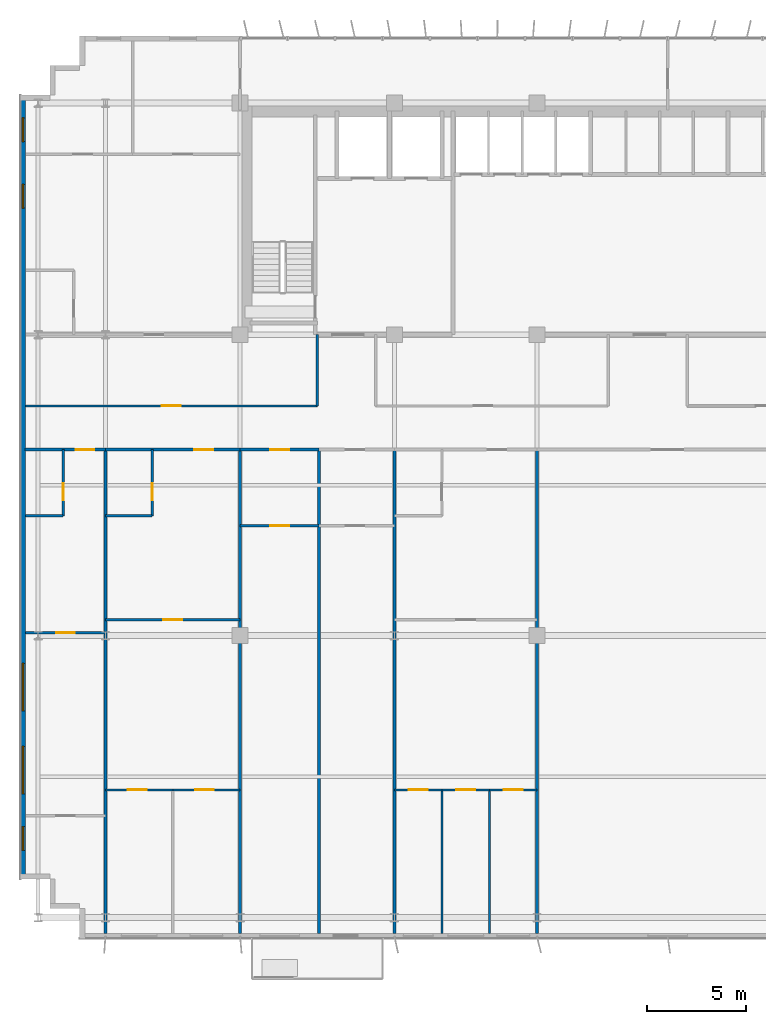
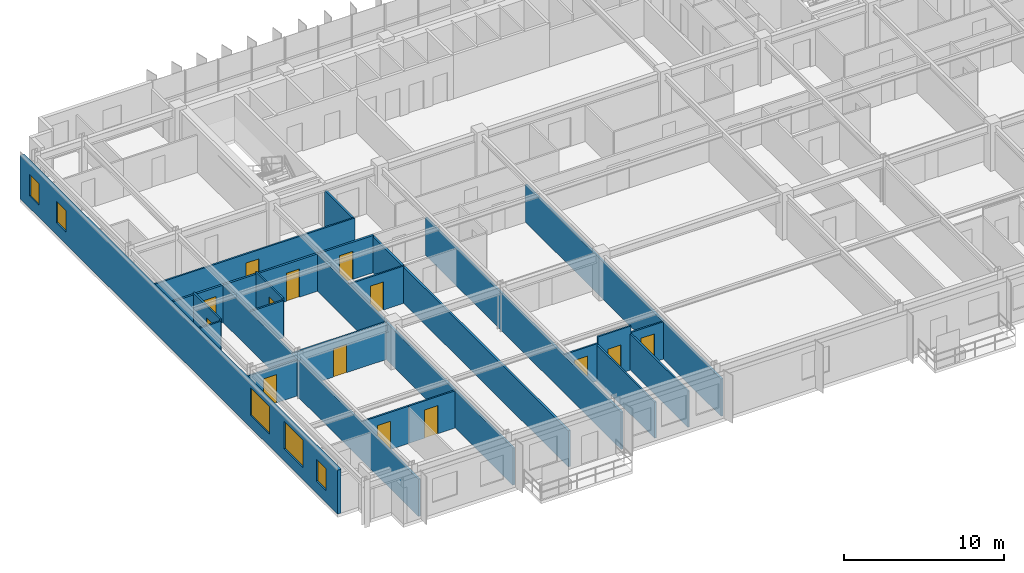
# One storey, part 14 of 22: 25 walls, 14 doors, 5 windows, 19 openings.
"""IFC4 building model written with IfcOpenShell, lengths in metres."""

import ifcopenshell
import ifcopenshell.guid

model = None  # the IFC model being written
_history = None  # IfcOwnerHistory: only IFC2X3 demands one
_inside = {}  # id of a spatial element -> (the spatial element, [elements in it])
_under = {}  # id of a project, library or spatial element -> (it, [spatial elements below it])
_declared = {}  # id of a project -> (the project, [libraries it declares])
_typed = {}  # id of a type object -> (the type object, [elements of that type])
_made_of = {}  # id of a material, layer set ... -> (it, [elements and type objects made of it])


def new_model(schema):
    """Start an empty IFC model of exactly this schema.

    Asked for "IFC4X3", IfcOpenShell would pick the latest addendum, in which some entities
    have other attributes; the version numbers below select the first issue.
    IFC2X3 requires an IfcOwnerHistory on every rooted entity: one is made here for all.
    """
    global model, _history
    if schema == "IFC4X3":
        model = ifcopenshell.file(schema_version=(4, 3, 0, 0))
    else:
        model = ifcopenshell.file(schema=schema)
    _inside.clear()
    _under.clear()
    _declared.clear()
    _typed.clear()
    _made_of.clear()
    _history = None
    if model.schema == "IFC2X3":
        org = make("IfcOrganization", Name="unknown")
        user = make(
            "IfcPersonAndOrganization",
            ThePerson=make("IfcPerson", FamilyName="unknown"),
            TheOrganization=org,
        )
        app = make(
            "IfcApplication",
            ApplicationDeveloper=org,
            Version="unknown",
            ApplicationFullName="unknown",
            ApplicationIdentifier="unknown",
        )
        _history = make(
            "IfcOwnerHistory",
            OwningUser=user,
            OwningApplication=app,
            ChangeAction="ADDED",
            CreationDate=0,
        )
    return model


def make(cls, **values):
    """One entity of the class cls with the attributes given. An attribute that is None is left unset."""
    return model.create_entity(
        cls, **{name: value for name, value in values.items() if value is not None}
    )


def rooted(cls, **values):
    """An entity with a GlobalId (a new one), such as an element, a storey or a relation."""
    return make(cls, GlobalId=ifcopenshell.guid.new(), OwnerHistory=_history, **values)


def si_unit(unit_type, name, prefix=None):
    """IfcSIUnit, for example si_unit("LENGTHUNIT", "METRE", prefix="MILLI")."""
    return make("IfcSIUnit", UnitType=unit_type, Prefix=prefix, Name=name)


def assignment(units):
    """IfcUnitAssignment: the units of a project."""
    return None if units is None else make("IfcUnitAssignment", Units=units)


def point(xyz):
    """IfcCartesianPoint."""
    return None if xyz is None else make("IfcCartesianPoint", Coordinates=xyz)


def direction(xyz):
    """IfcDirection."""
    return None if xyz is None else make("IfcDirection", DirectionRatios=xyz)


def frame(location, z_axis=None, x_axis=None):
    """IfcAxis2Placement3D, a coordinate frame: its origin and axes. An axis left out is left unset."""
    return make(
        "IfcAxis2Placement3D",
        Location=point(location),
        Axis=direction(z_axis),
        RefDirection=direction(x_axis),
    )


def frame_2d(location, x_axis=None):
    """IfcAxis2Placement2D, a coordinate frame in the plane: its origin and x axis."""
    return make(
        "IfcAxis2Placement2D", Location=point(location), RefDirection=direction(x_axis)
    )


def origin():
    """The frame at (0, 0, 0) with its axes left unset."""
    return frame((0.0, 0.0, 0.0))


def place(relative_to, where):
    """IfcLocalPlacement: puts the frame where relative to a parent placement (None: the world)."""
    return make(
        "IfcLocalPlacement", PlacementRelTo=relative_to, RelativePlacement=where
    )


def context(
    kind, dimensions, precision=None, world=None, true_north=None, identifier=None
):
    """IfcGeometricRepresentationContext, for example the 3D "Model" context."""
    return make(
        "IfcGeometricRepresentationContext",
        ContextIdentifier=identifier,
        ContextType=kind,
        CoordinateSpaceDimension=dimensions,
        Precision=precision,
        WorldCoordinateSystem=world,
        TrueNorth=true_north,
    )


def subcontext(parent, identifier, kind, view, scale=None):
    """IfcGeometricRepresentationSubContext, for example "Body" below "Model"."""
    return make(
        "IfcGeometricRepresentationSubContext",
        ContextIdentifier=identifier,
        ContextType=kind,
        ParentContext=parent,
        TargetScale=scale,
        TargetView=view,
    )


def project(units=None, contexts=None):
    """IfcProject with its units and contexts."""
    return rooted(
        "IfcProject",
        Name="project",
        RepresentationContexts=contexts,
        UnitsInContext=assignment(units),
    )


def spatial(cls, under=None, at=None, **own):
    """A site, building, storey or space (cls), placed at a placement, below another one or the project."""
    s = rooted(cls, ObjectPlacement=at, **own)
    if under is not None:
        _under.setdefault(under.id(), (under, []))[1].append(s)
    return s


def profile(cls, at=None, kind="AREA", **sizes):
    """A parametric profile (cls). Its sizes go by their IFC names, for example OverallWidth=200.0."""
    return make(cls, ProfileType=kind, Position=at, **sizes)


def rectangle(**sizes):
    """IfcRectangleProfileDef."""
    return profile("IfcRectangleProfileDef", **sizes)


def extrude(swept, where, along, depth):
    """IfcExtrudedAreaSolid: the profile swept, set in the frame where, extruded along a direction by depth."""
    return make(
        "IfcExtrudedAreaSolid",
        SweptArea=swept,
        Position=where,
        ExtrudedDirection=direction(along),
        Depth=depth,
    )


def shape(context_of_items, identifier, shape_type, items):
    """IfcShapeRepresentation: the items that make up one representation, for example the "Body"."""
    return make(
        "IfcShapeRepresentation",
        ContextOfItems=context_of_items,
        RepresentationIdentifier=identifier,
        RepresentationType=shape_type,
        Items=items,
    )


def source(mapping_origin, context_of_items, identifier, shape_type, items):
    """IfcRepresentationMap: a shape defined once, which mapped items show again and again."""
    return make(
        "IfcRepresentationMap",
        MappingOrigin=mapping_origin,
        MappedRepresentation=shape(context_of_items, identifier, shape_type, items),
    )


def transform(
    local_origin,
    x_axis=None,
    y_axis=None,
    z_axis=None,
    scale=None,
    scale2=None,
    scale3=None,
    uniform=True,
):
    """IfcCartesianTransformationOperator3D, or its non-uniform kind. x_axis, y_axis, z_axis: its Axis1, 2, 3."""
    if uniform:
        return make(
            "IfcCartesianTransformationOperator3D",
            Axis1=direction(x_axis),
            Axis2=direction(y_axis),
            LocalOrigin=point(local_origin),
            Scale=scale,
            Axis3=direction(z_axis),
        )
    return make(
        "IfcCartesianTransformationOperator3DnonUniform",
        Axis1=direction(x_axis),
        Axis2=direction(y_axis),
        LocalOrigin=point(local_origin),
        Scale=scale,
        Axis3=direction(z_axis),
        Scale2=scale2,
        Scale3=scale3,
    )


def mapped(mapping_source, mapping_target):
    """IfcMappedItem: shows the shape of a source again, moved by a transform."""
    return make(
        "IfcMappedItem", MappingSource=mapping_source, MappingTarget=mapping_target
    )


def material(Name=None, Category=None):
    """IfcMaterial."""
    return make("IfcMaterial", Name=Name, Category=Category)


def layer(
    of_material, thickness, ventilated=None, Name=None, Category=None, Priority=None
):
    """IfcMaterialLayer: one layer of a wall or slab, of a material (None: an air gap)."""
    return make(
        "IfcMaterialLayer",
        Material=of_material,
        LayerThickness=thickness,
        IsVentilated=ventilated,
        Name=Name,
        Category=Category,
        Priority=Priority,
    )


def layer_set(layers, Name=None):
    """IfcMaterialLayerSet."""
    return make("IfcMaterialLayerSet", MaterialLayers=layers, LayerSetName=Name)


def made_of(thing, what):
    """Note that an element or type object is made of a material, layer set ...; save() writes the relation."""
    if what is not None:
        _made_of.setdefault(what.id(), (what, []))[1].append(thing)
    return thing


def type_object(cls, material=None, **own):
    """A type object (cls), such as IfcWallType, which elements share."""
    return made_of(rooted(cls, **own), material)


def element(
    cls,
    number,
    at=None,
    inside=None,
    cuts=None,
    type_object=None,
    material=None,
    context=None,
    identifier="Body",
    shape_type=None,
    held_by="IfcProductDefinitionShape",
    body=None,
    shapes=None,
    **own,
):
    """One element of the class cls, such as IfcWall. Its Tag is "e" and its number.

    at: its placement. inside: the storey or other place that contains it. cuts: it is an
    opening in that element (IfcRelVoidsElement). A single representation is given by context,
    identifier, shape_type and body (its items); several are given by shapes. held_by: the class
    of the entity that holds the representations. save() writes the other relations.
    """
    e = rooted(cls, Tag="e%d" % number, ObjectPlacement=at, **own)
    if body is not None:
        shapes = [shape(context, identifier, shape_type, body)]
    if shapes is not None:
        e.Representation = make(held_by, Representations=shapes)
    if inside is not None:
        _inside.setdefault(inside.id(), (inside, []))[1].append(e)
    if cuts is not None:
        rooted(
            "IfcRelVoidsElement", RelatingBuildingElement=cuts, RelatedOpeningElement=e
        )
    if type_object is not None:
        _typed.setdefault(type_object.id(), (type_object, []))[1].append(e)
    return made_of(e, material)


def fill(opening, filler):
    """IfcRelFillsElement: the door or window that sits in an opening."""
    return rooted(
        "IfcRelFillsElement",
        RelatingOpeningElement=opening,
        RelatedBuildingElement=filler,
    )


def aggregate(whole, parts):
    """IfcRelAggregates: a whole, such as a stair, and the parts it consists of."""
    return rooted("IfcRelAggregates", RelatingObject=whole, RelatedObjects=parts)


def save(model, path):
    """Write the relations noted so far, then the file.

    IfcRelAggregates (storeys below a building ...), IfcRelContainedInSpatialStructure (elements
    in a storey), IfcRelDefinesByType, IfcRelAssociatesMaterial and IfcRelDeclares: one each for
    every whole, place, type object, material and project.
    """
    for whole, parts in _under.values():
        aggregate(whole, parts)
    for where, things in _inside.values():
        rooted(
            "IfcRelContainedInSpatialStructure",
            RelatedElements=things,
            RelatingStructure=where,
        )
    for kind, things in _typed.values():
        rooted("IfcRelDefinesByType", RelatedObjects=things, RelatingType=kind)
    for what, things in _made_of.values():
        rooted("IfcRelAssociatesMaterial", RelatedObjects=things, RelatingMaterial=what)
    for by, libraries in _declared.values():
        rooted("IfcRelDeclares", RelatingContext=by, RelatedDefinitions=libraries)
    model.write(path)


model = new_model("IFC4")

# Units and contexts
model_context = context("Model", 3, precision=1e-05, world=origin(), true_north=direction((0.0, 1.0)))
body_context = subcontext(model_context, "Body", "Model", "MODEL_VIEW")
ifc_project = project(units=[si_unit("LENGTHUNIT", "METRE"), si_unit("AREAUNIT", "SQUARE_METRE"), si_unit("VOLUMEUNIT", "CUBIC_METRE"), si_unit("PLANEANGLEUNIT", "RADIAN"), si_unit("MASSUNIT", "GRAM", prefix="KILO")], contexts=[model_context])

# Site, building, storey
site_placement = place(None, origin())
site = spatial("IfcSite", under=ifc_project, at=site_placement, CompositionType="ELEMENT")
building_placement = place(site_placement, origin())
building = spatial("IfcBuilding", under=site, at=building_placement, Name="Trelvane Seafront Commons", CompositionType="ELEMENT")
storey_placement = place(building_placement, frame((0.0, 0.0, 99.699951171875)))
storey = spatial("IfcBuildingStorey", under=building, at=storey_placement, Name="L25", CompositionType="ELEMENT", Elevation=99.699951171875)

# Wall, openings, windows
ifc_material_1 = material(Name="Precast concrete C40/50", Category="concrete")
ifc_layer_1 = layer(ifc_material_1, 0.260009765625, Name="ARCH-WALL-EXT260")
ifc_layer_set_1 = layer_set([ifc_layer_1], Name="Precast concrete C40/50")
wall_type_1 = type_object("IfcWallType", Name="ARCH-WALL-EXT260", PredefinedType="SOLIDWALL", material=ifc_layer_set_1)
wall_1_placement = place(storey_placement, frame((4.6298828125, 5.89990234375, 0.0), z_axis=(0.0, 0.0, 1.0), x_axis=(0.0, 1.0, 0.0)))
wall_1 = element("IfcWall", 1, at=wall_1_placement, inside=storey, type_object=wall_type_1, Name="EW-L25-00459", PredefinedType="SOLIDWALL", context=body_context, shape_type="SweptSolid", body=[
    extrude(rectangle(XDim=39.60009765625, YDim=0.260009765625, at=frame_2d((19.800048828125, 0.0))), origin(), (0.0, 0.0, 1.0), 3.340087890625),
])
opening_1_placement = place(wall_1_placement, frame((1.449951171875, 0.0, 0.919921875)))
opening_1 = element("IfcOpeningElement", 2, at=opening_1_placement, cuts=wall_1, Name="Opening W05", PredefinedType="OPENING", context=body_context, shape_type="SweptSolid", body=[
    extrude(rectangle(XDim=1.199951171875, YDim=1.64990234375, at=frame_2d((0.60009765625, 0.824951171875))), frame((0.0, 0.139892578125, 0.0), z_axis=(0.0, -1.0, 0.0), x_axis=(1.0, 0.0, 0.0)), (0.0, 0.0, 1.0), 0.280029296875),
])
opening_2_placement = place(wall_1_placement, frame((4.300048828125, 0.0, 0.919921875)))
opening_2 = element("IfcOpeningElement", 3, at=opening_2_placement, cuts=wall_1, Name="Opening W08", PredefinedType="OPENING", context=body_context, shape_type="SweptSolid", body=[
    extrude(rectangle(XDim=2.39990234375, YDim=2.10009765625, at=frame_2d((1.199951171875, 1.050048828125))), frame((0.0, 0.139892578125, 0.0), z_axis=(0.0, -1.0, 0.0), x_axis=(1.0, 0.0, 0.0)), (0.0, 0.0, 1.0), 0.280029296875),
])
opening_3_placement = place(wall_1_placement, frame((8.5, 0.0, 0.919921875)))
opening_3 = element("IfcOpeningElement", 4, at=opening_3_placement, cuts=wall_1, Name="Opening W08", PredefinedType="OPENING", context=body_context, shape_type="SweptSolid", body=[
    extrude(rectangle(XDim=2.39990234375, YDim=2.10009765625, at=frame_2d((1.199951171875, 1.050048828125))), frame((0.0, 0.139892578125, 0.0), z_axis=(0.0, -1.0, 0.0), x_axis=(1.0, 0.0, 0.0)), (0.0, 0.0, 1.0), 0.280029296875),
])
opening_4_placement = place(wall_1_placement, frame((33.89990234375, 0.0, 0.919921875)))
opening_4 = element("IfcOpeningElement", 5, at=opening_4_placement, cuts=wall_1, Name="Opening W05", PredefinedType="OPENING", context=body_context, shape_type="SweptSolid", body=[
    extrude(rectangle(XDim=1.199951171875, YDim=1.64990234375, at=frame_2d((0.60009765625, 0.824951171875))), frame((0.0, 0.139892578125, 0.0), z_axis=(0.0, -1.0, 0.0), x_axis=(1.0, 0.0, 0.0)), (0.0, 0.0, 1.0), 0.280029296875),
])
opening_5_placement = place(wall_1_placement, frame((37.25, 0.0, 0.919921875)))
opening_5 = element("IfcOpeningElement", 6, at=opening_5_placement, cuts=wall_1, Name="Opening W05", PredefinedType="OPENING", context=body_context, shape_type="SweptSolid", body=[
    extrude(rectangle(XDim=1.199951171875, YDim=1.64990234375, at=frame_2d((0.60009765625, 0.824951171875))), frame((0.0, 0.139892578125, 0.0), z_axis=(0.0, -1.0, 0.0), x_axis=(1.0, 0.0, 0.0)), (0.0, 0.0, 1.0), 0.280029296875),
])
ifc_material_2 = material(Name="Low-E coastal double glazing", Category="glass")
window_type_1 = type_object("IfcWindowType", Name="ARCH-WIN-W08", PartitioningType="SINGLE_PANEL", PredefinedType="WINDOW", material=ifc_material_2)
shared_shape_1 = source(origin(), body_context, "Body", "SweptSolid", [
    extrude(rectangle(XDim=2.39990234375, YDim=2.10009765625, at=frame_2d((1.199951171875, 1.050048828125))), frame((0.0, 0.030029296875, 0.0), z_axis=(0.0, -1.0, 0.0), x_axis=(1.0, 0.0, 0.0)), (0.0, 0.0, 1.0), 0.06005859375),
])
window_1_placement = place(opening_2_placement, origin())
window_1 = element("IfcWindow", 7, at=window_1_placement, inside=storey, type_object=window_type_1, Name="WIN-L25-EW-00536", OverallHeight=2.10009765625, OverallWidth=2.39990234375, PartitioningType="SINGLE_PANEL", PredefinedType="WINDOW", context=body_context, shape_type="MappedRepresentation", body=[
    mapped(shared_shape_1, transform((0.0, 0.0, 0.0), x_axis=(1.0, 0.0, 0.0), y_axis=(0.0, 1.0, 0.0), z_axis=(0.0, 0.0, 1.0), scale=1.0)),
])
fill(opening_2, window_1)
window_2_placement = place(opening_3_placement, origin())
window_2 = element("IfcWindow", 8, at=window_2_placement, inside=storey, type_object=window_type_1, Name="WIN-L25-EW-00537", OverallHeight=2.10009765625, OverallWidth=2.39990234375, PartitioningType="SINGLE_PANEL", PredefinedType="WINDOW", context=body_context, shape_type="MappedRepresentation", body=[
    mapped(shared_shape_1, transform((0.0, 0.0, 0.0), x_axis=(1.0, 0.0, 0.0), y_axis=(0.0, 1.0, 0.0), z_axis=(0.0, 0.0, 1.0), scale=1.0)),
])
fill(opening_3, window_2)
window_type_2 = type_object("IfcWindowType", Name="ARCH-WIN-W05", PartitioningType="SINGLE_PANEL", PredefinedType="WINDOW", material=ifc_material_2)
shared_shape_2 = source(origin(), body_context, "Body", "SweptSolid", [
    extrude(rectangle(XDim=1.199951171875, YDim=1.64990234375, at=frame_2d((0.60009765625, 0.824951171875))), frame((0.0, 0.030029296875, 0.0), z_axis=(0.0, -1.0, 0.0), x_axis=(1.0, 0.0, 0.0)), (0.0, 0.0, 1.0), 0.06005859375),
])
window_3_placement = place(opening_1_placement, origin())
window_3 = element("IfcWindow", 9, at=window_3_placement, inside=storey, type_object=window_type_2, Name="WIN-L25-EW-00535", OverallHeight=1.64990234375, OverallWidth=1.199951171875, PartitioningType="SINGLE_PANEL", PredefinedType="WINDOW", context=body_context, shape_type="MappedRepresentation", body=[
    mapped(shared_shape_2, transform((0.0, 0.0, 0.0), x_axis=(1.0, 0.0, 0.0), y_axis=(0.0, 1.0, 0.0), z_axis=(0.0, 0.0, 1.0), scale=1.0)),
])
fill(opening_1, window_3)
window_4_placement = place(opening_4_placement, origin())
window_4 = element("IfcWindow", 10, at=window_4_placement, inside=storey, type_object=window_type_2, Name="WIN-L25-EW-00538", OverallHeight=1.64990234375, OverallWidth=1.199951171875, PartitioningType="SINGLE_PANEL", PredefinedType="WINDOW", context=body_context, shape_type="MappedRepresentation", body=[
    mapped(shared_shape_2, transform((0.0, 0.0, 0.0), x_axis=(1.0, 0.0, 0.0), y_axis=(0.0, 1.0, 0.0), z_axis=(0.0, 0.0, 1.0), scale=1.0)),
])
fill(opening_4, window_4)
window_5_placement = place(opening_5_placement, origin())
window_5 = element("IfcWindow", 11, at=window_5_placement, inside=storey, type_object=window_type_2, Name="WIN-L25-EW-00539", OverallHeight=1.64990234375, OverallWidth=1.199951171875, PartitioningType="SINGLE_PANEL", PredefinedType="WINDOW", context=body_context, shape_type="MappedRepresentation", body=[
    mapped(shared_shape_2, transform((0.0, 0.0, 0.0), x_axis=(1.0, 0.0, 0.0), y_axis=(0.0, 1.0, 0.0), z_axis=(0.0, 0.0, 1.0), scale=1.0)),
])
fill(opening_5, window_5)

# Wall, opening, door
ifc_material_3 = material(Name="Gypsum Drywall Acoustic Partition")
ifc_layer_2 = layer(ifc_material_3, 0.1201171875, Name="ARCH-WALL-PART120")
ifc_layer_set_2 = layer_set([ifc_layer_2], Name="Gypsum Drywall Acoustic Partition")
wall_type_2 = type_object("IfcWallType", Name="ARCH-WALL-PART120", PredefinedType="PARTITIONING", material=ifc_layer_set_2)
wall_2_placement = place(storey_placement, frame((4.75, 29.800048828125, 0.0), z_axis=(0.0, 0.0, 1.0), x_axis=(1.0, 0.0, 0.0)))
wall_2 = element("IfcWall", 12, at=wall_2_placement, inside=storey, type_object=wall_type_2, Name="W-L25-CORR-N-W-039", PredefinedType="PARTITIONING", context=body_context, shape_type="SweptSolid", body=[
    extrude(rectangle(XDim=14.75, YDim=0.1201171875, at=frame_2d((7.375, 0.0))), origin(), (0.0, 0.0, 1.0), 2.840087890625),
])
opening_6_placement = place(wall_2_placement, frame((6.89990234375, 0.0, 0.0)))
opening_6 = element("IfcOpeningElement", 13, at=opening_6_placement, cuts=wall_2, Name="Opening D-L25-19", PredefinedType="OPENING", context=body_context, shape_type="SweptSolid", body=[
    extrude(rectangle(XDim=0.949951171875, YDim=2.14990234375, at=frame_2d((0.47509765625, 1.074951171875))), frame((0.0, 0.070068359375, 0.0), z_axis=(0.0, -1.0, 0.0), x_axis=(1.0, 0.0, 0.0)), (0.0, 0.0, 1.0), 0.14013671875),
])
ifc_material_4 = material(Name="Acoustic timber door leaf", Category="wood")
door_type_1 = type_object("IfcDoorType", Name="ARCH-DR-INT950", OperationType="NOTDEFINED", PredefinedType="DOOR", material=ifc_material_4)
shared_shape_3 = source(origin(), body_context, "Body", "SweptSolid", [
    extrude(rectangle(XDim=0.949951171875, YDim=2.14990234375, at=frame_2d((0.47509765625, 1.074951171875))), frame((0.0, 0.02490234375, 0.0), z_axis=(0.0, -1.0, 0.0), x_axis=(1.0, 0.0, 0.0)), (0.0, 0.0, 1.0), 0.050048828125),
])
door_1_placement = place(opening_6_placement, origin())
door_1 = element("IfcDoor", 14, at=door_1_placement, inside=storey, type_object=door_type_1, Name="L25 Door 19", OperationType="SINGLE_SWING_LEFT", OverallHeight=2.14990234375, OverallWidth=0.949951171875, PredefinedType="DOOR", context=body_context, shape_type="MappedRepresentation", body=[
    mapped(shared_shape_3, transform((0.0, 0.0, 0.0), x_axis=(1.0, 0.0, 0.0), y_axis=(0.0, 1.0, 0.0), z_axis=(0.0, 0.0, 1.0), scale=1.0)),
])
fill(opening_6, door_1)

# Wall
wall_3_placement = place(storey_placement, frame((19.5, 29.800048828125, 0.0), z_axis=(0.0, 0.0, 1.0), x_axis=(0.0, 1.0, 0.0)))
element("IfcWall", 15, at=wall_3_placement, inside=storey, type_object=wall_type_2, Name="W-L25-N-SPUR-W1-044", PredefinedType="PARTITIONING", context=body_context, shape_type="SweptSolid", body=[
    extrude(rectangle(XDim=3.599853515625, YDim=0.1201171875, at=frame_2d((1.7998046875, 0.0))), origin(), (0.0, 0.0, 1.0), 2.751953125),
])

# Wall, opening, door
wall_4_placement = place(storey_placement, frame((4.760009765625, 18.35009765625, 0.0), z_axis=(0.0, 0.0, 1.0), x_axis=(1.0, 0.0, 0.0)))
wall_4 = element("IfcWall", 16, at=wall_4_placement, inside=storey, type_object=wall_type_2, Name="W-L25-U1-KL-070", PredefinedType="PARTITIONING", context=body_context, shape_type="SweptSolid", body=[
    extrude(rectangle(XDim=4.0400390625, YDim=0.1201171875, at=frame_2d((2.02001953125, 0.0))), origin(), (0.0, 0.0, 1.0), 2.751953125),
])
opening_7_placement = place(wall_4_placement, frame((1.544921875, 0.0, 0.0)))
opening_7 = element("IfcOpeningElement", 17, at=opening_7_placement, cuts=wall_4, Name="Opening D-L25-32", PredefinedType="OPENING", context=body_context, shape_type="SweptSolid", body=[
    extrude(rectangle(XDim=0.949951171875, YDim=2.14990234375, at=frame_2d((0.47509765625, 1.074951171875))), frame((0.0, 0.070068359375, 0.0), z_axis=(0.0, -1.0, 0.0), x_axis=(1.0, 0.0, 0.0)), (0.0, 0.0, 1.0), 0.14013671875),
])
door_2_placement = place(opening_7_placement, origin())
door_2 = element("IfcDoor", 18, at=door_2_placement, inside=storey, type_object=door_type_1, Name="L25 Door 32", OperationType="SINGLE_SWING_RIGHT", OverallHeight=2.14990234375, OverallWidth=0.949951171875, PredefinedType="DOOR", context=body_context, shape_type="MappedRepresentation", body=[
    mapped(shared_shape_3, transform((0.0, 0.0, 0.0), x_axis=(1.0, 0.0, 0.0), y_axis=(0.0, 1.0, 0.0), z_axis=(0.0, 0.0, 1.0), scale=1.0)),
])
fill(opening_7, door_2)

wall_5_placement = place(storey_placement, frame((6.659912109375, 24.25, 0.0), z_axis=(0.0, 0.0, 1.0), x_axis=(0.0, 1.0, 0.0)))
wall_5 = element("IfcWall", 19, at=wall_5_placement, inside=storey, type_object=wall_type_2, Name="W-L25-U1-BE-071", PredefinedType="PARTITIONING", context=body_context, shape_type="SweptSolid", body=[
    extrude(rectangle(XDim=3.35009765625, YDim=0.1201171875, at=frame_2d((1.675048828125, 0.0))), origin(), (0.0, 0.0, 1.0), 2.989990234375),
])
opening_8_placement = place(wall_5_placement, frame((0.800048828125, 0.0, 0.0)))
opening_8 = element("IfcOpeningElement", 20, at=opening_8_placement, cuts=wall_5, Name="Opening D-L25-33", PredefinedType="OPENING", context=body_context, shape_type="SweptSolid", body=[
    extrude(rectangle(XDim=0.85009765625, YDim=2.10009765625, at=frame_2d((0.425048828125, 1.050048828125))), frame((0.0, 0.070068359375, 0.0), z_axis=(0.0, -1.0, 0.0), x_axis=(1.0, 0.0, 0.0)), (0.0, 0.0, 1.0), 0.14013671875),
])
door_type_2 = type_object("IfcDoorType", Name="ARCH-DR-INT850", OperationType="NOTDEFINED", PredefinedType="DOOR", material=ifc_material_4)
shared_shape_4 = source(origin(), body_context, "Body", "SweptSolid", [
    extrude(rectangle(XDim=0.85009765625, YDim=2.10009765625, at=frame_2d((0.425048828125, 1.050048828125))), frame((0.0, 0.02490234375, 0.0), z_axis=(0.0, -1.0, 0.0), x_axis=(1.0, 0.0, 0.0)), (0.0, 0.0, 1.0), 0.050048828125),
])
door_3_placement = place(opening_8_placement, origin())
door_3 = element("IfcDoor", 21, at=door_3_placement, inside=storey, type_object=door_type_2, Name="L25 Door 33", OperationType="SINGLE_SWING_LEFT", OverallHeight=2.10009765625, OverallWidth=0.85009765625, PredefinedType="DOOR", context=body_context, shape_type="MappedRepresentation", body=[
    mapped(shared_shape_4, transform((0.0, 0.0, 0.0), x_axis=(1.0, 0.0, 0.0), y_axis=(0.0, 1.0, 0.0), z_axis=(0.0, 0.0, 1.0), scale=1.0)),
])
fill(opening_8, door_3)

# Wall
wall_6_placement = place(storey_placement, frame((4.760009765625, 24.25, 0.0), z_axis=(0.0, 0.0, 1.0), x_axis=(1.0, 0.0, 0.0)))
element("IfcWall", 22, at=wall_6_placement, inside=storey, type_object=wall_type_2, Name="W-L25-U1-BS-072", PredefinedType="PARTITIONING", context=body_context, shape_type="SweptSolid", body=[
    extrude(rectangle(XDim=1.89990234375, YDim=0.1201171875, at=frame_2d((0.949951171875, 0.0))), origin(), (0.0, 0.0, 1.0), 2.840087890625),
])

# Wall, opening, door
wall_7_placement = place(storey_placement, frame((8.800048828125, 19.0, 0.0), z_axis=(0.0, 0.0, 1.0), x_axis=(1.0, 0.0, 0.0)))
wall_7 = element("IfcWall", 23, at=wall_7_placement, inside=storey, type_object=wall_type_2, Name="W-L25-U2-KL-075", PredefinedType="PARTITIONING", context=body_context, shape_type="SweptSolid", body=[
    extrude(rectangle(XDim=6.800048828125, YDim=0.1201171875, at=frame_2d((3.39990234375, 0.0))), origin(), (0.0, 0.0, 1.0), 2.840087890625),
])
opening_9_placement = place(wall_7_placement, frame((2.925048828125, 0.0, 0.0)))
opening_9 = element("IfcOpeningElement", 24, at=opening_9_placement, cuts=wall_7, Name="Opening D-L25-36", PredefinedType="OPENING", context=body_context, shape_type="SweptSolid", body=[
    extrude(rectangle(XDim=0.949951171875, YDim=2.14990234375, at=frame_2d((0.47509765625, 1.074951171875))), frame((0.0, 0.070068359375, 0.0), z_axis=(0.0, -1.0, 0.0), x_axis=(1.0, 0.0, 0.0)), (0.0, 0.0, 1.0), 0.14013671875),
])
door_4_placement = place(opening_9_placement, origin())
door_4 = element("IfcDoor", 25, at=door_4_placement, inside=storey, type_object=door_type_1, Name="L25 Door 36", OperationType="SINGLE_SWING_RIGHT", OverallHeight=2.14990234375, OverallWidth=0.949951171875, PredefinedType="DOOR", context=body_context, shape_type="MappedRepresentation", body=[
    mapped(shared_shape_3, transform((0.0, 0.0, 0.0), x_axis=(1.0, 0.0, 0.0), y_axis=(0.0, 1.0, 0.0), z_axis=(0.0, 0.0, 1.0), scale=1.0)),
])
fill(opening_9, door_4)

wall_8_placement = place(storey_placement, frame((11.162109375, 24.25, 0.0), z_axis=(0.0, 0.0, 1.0), x_axis=(0.0, 1.0, 0.0)))
wall_8 = element("IfcWall", 26, at=wall_8_placement, inside=storey, type_object=wall_type_2, Name="W-L25-U2-BE-076", PredefinedType="PARTITIONING", context=body_context, shape_type="SweptSolid", body=[
    extrude(rectangle(XDim=3.35009765625, YDim=0.1201171875, at=frame_2d((1.675048828125, 0.0))), origin(), (0.0, 0.0, 1.0), 2.989990234375),
])
opening_10_placement = place(wall_8_placement, frame((0.800048828125, 0.0, 0.0)))
opening_10 = element("IfcOpeningElement", 27, at=opening_10_placement, cuts=wall_8, Name="Opening D-L25-37", PredefinedType="OPENING", context=body_context, shape_type="SweptSolid", body=[
    extrude(rectangle(XDim=0.85009765625, YDim=2.10009765625, at=frame_2d((0.425048828125, 1.050048828125))), frame((0.0, 0.070068359375, 0.0), z_axis=(0.0, -1.0, 0.0), x_axis=(1.0, 0.0, 0.0)), (0.0, 0.0, 1.0), 0.14013671875),
])
door_5_placement = place(opening_10_placement, origin())
door_5 = element("IfcDoor", 28, at=door_5_placement, inside=storey, type_object=door_type_2, Name="L25 Door 37", OperationType="SINGLE_SWING_LEFT", OverallHeight=2.10009765625, OverallWidth=0.85009765625, PredefinedType="DOOR", context=body_context, shape_type="MappedRepresentation", body=[
    mapped(shared_shape_4, transform((0.0, 0.0, 0.0), x_axis=(1.0, 0.0, 0.0), y_axis=(0.0, 1.0, 0.0), z_axis=(0.0, 0.0, 1.0), scale=1.0)),
])
fill(opening_10, door_5)

# Wall
wall_9_placement = place(storey_placement, frame((8.800048828125, 24.25, 0.0), z_axis=(0.0, 0.0, 1.0), x_axis=(1.0, 0.0, 0.0)))
element("IfcWall", 29, at=wall_9_placement, inside=storey, type_object=wall_type_2, Name="W-L25-U2-BS-077", PredefinedType="PARTITIONING", context=body_context, shape_type="SweptSolid", body=[
    extrude(rectangle(XDim=2.362060546875, YDim=0.1201171875, at=frame_2d((1.18115234375, 0.0))), origin(), (0.0, 0.0, 1.0), 2.840087890625),
])

# Wall, opening, door
wall_10_placement = place(storey_placement, frame((8.800048828125, 10.39990234375, 0.0), z_axis=(0.0, 0.0, 1.0), x_axis=(1.0, 0.0, 0.0)))
wall_10 = element("IfcWall", 30, at=wall_10_placement, inside=storey, type_object=wall_type_2, Name="W-L25-U2-YM-1-079", PredefinedType="PARTITIONING", context=body_context, shape_type="SweptSolid", body=[
    extrude(rectangle(XDim=3.39990234375, YDim=0.1201171875, at=frame_2d((1.699951171875, 0.0))), origin(), (0.0, 0.0, 1.0), 2.840087890625),
])
opening_11_placement = place(wall_10_placement, frame((1.131103515625, 0.0, 0.0)))
opening_11 = element("IfcOpeningElement", 31, at=opening_11_placement, cuts=wall_10, Name="Opening D-L25-39", PredefinedType="OPENING", context=body_context, shape_type="SweptSolid", body=[
    extrude(rectangle(XDim=0.949951171875, YDim=2.14990234375, at=frame_2d((0.47509765625, 1.074951171875))), frame((0.0, 0.070068359375, 0.0), z_axis=(0.0, -1.0, 0.0), x_axis=(1.0, 0.0, 0.0)), (0.0, 0.0, 1.0), 0.14013671875),
])
door_6_placement = place(opening_11_placement, origin())
door_6 = element("IfcDoor", 32, at=door_6_placement, inside=storey, type_object=door_type_1, Name="L25 Door 39", OperationType="SINGLE_SWING_LEFT", OverallHeight=2.14990234375, OverallWidth=0.949951171875, PredefinedType="DOOR", context=body_context, shape_type="MappedRepresentation", body=[
    mapped(shared_shape_3, transform((0.0, 0.0, 0.0), x_axis=(1.0, 0.0, 0.0), y_axis=(0.0, 1.0, 0.0), z_axis=(0.0, 0.0, 1.0), scale=1.0)),
])
fill(opening_11, door_6)

wall_11_placement = place(storey_placement, frame((12.199951171875, 10.39990234375, 0.0), z_axis=(0.0, 0.0, 1.0), x_axis=(1.0, 0.0, 0.0)))
wall_11 = element("IfcWall", 33, at=wall_11_placement, inside=storey, type_object=wall_type_2, Name="W-L25-U2-YM-2-080", PredefinedType="PARTITIONING", context=body_context, shape_type="SweptSolid", body=[
    extrude(rectangle(XDim=3.400146484375, YDim=0.1201171875, at=frame_2d((1.7001953125, 0.0))), origin(), (0.0, 0.0, 1.0), 2.840087890625),
])
opening_12_placement = place(wall_11_placement, frame((1.131103515625, 0.0, 0.0)))
opening_12 = element("IfcOpeningElement", 34, at=opening_12_placement, cuts=wall_11, Name="Opening D-L25-40", PredefinedType="OPENING", context=body_context, shape_type="SweptSolid", body=[
    extrude(rectangle(XDim=0.949951171875, YDim=2.14990234375, at=frame_2d((0.47509765625, 1.074951171875))), frame((0.0, 0.070068359375, 0.0), z_axis=(0.0, -1.0, 0.0), x_axis=(1.0, 0.0, 0.0)), (0.0, 0.0, 1.0), 0.14013671875),
])
door_7_placement = place(opening_12_placement, origin())
door_7 = element("IfcDoor", 35, at=door_7_placement, inside=storey, type_object=door_type_1, Name="L25 Door 40", OperationType="SINGLE_SWING_RIGHT", OverallHeight=2.14990234375, OverallWidth=0.949951171875, PredefinedType="DOOR", context=body_context, shape_type="MappedRepresentation", body=[
    mapped(shared_shape_3, transform((0.0, 0.0, 0.0), x_axis=(1.0, 0.0, 0.0), y_axis=(0.0, 1.0, 0.0), z_axis=(0.0, 0.0, 1.0), scale=1.0)),
])
fill(opening_12, door_7)

wall_12_placement = place(storey_placement, frame((15.60009765625, 23.75, 0.0), z_axis=(0.0, 0.0, 1.0), x_axis=(1.0, 0.0, 0.0)))
wall_12 = element("IfcWall", 36, at=wall_12_placement, inside=storey, type_object=wall_type_2, Name="W-L25-U3-DIV-083", PredefinedType="PARTITIONING", context=body_context, shape_type="SweptSolid", body=[
    extrude(rectangle(XDim=4.0, YDim=0.1201171875, at=frame_2d((2.0, 0.0))), origin(), (0.0, 0.0, 1.0), 2.840087890625),
])
opening_13_placement = place(wall_12_placement, frame((1.52490234375, 0.0, 0.0)))
opening_13 = element("IfcOpeningElement", 37, at=opening_13_placement, cuts=wall_12, Name="Opening D-L25-42", PredefinedType="OPENING", context=body_context, shape_type="SweptSolid", body=[
    extrude(rectangle(XDim=0.949951171875, YDim=2.14990234375, at=frame_2d((0.47509765625, 1.074951171875))), frame((0.0, 0.070068359375, 0.0), z_axis=(0.0, -1.0, 0.0), x_axis=(1.0, 0.0, 0.0)), (0.0, 0.0, 1.0), 0.14013671875),
])
door_8_placement = place(opening_13_placement, origin())
door_8 = element("IfcDoor", 38, at=door_8_placement, inside=storey, type_object=door_type_1, Name="L25 Door 42", OperationType="SINGLE_SWING_RIGHT", OverallHeight=2.14990234375, OverallWidth=0.949951171875, PredefinedType="DOOR", context=body_context, shape_type="MappedRepresentation", body=[
    mapped(shared_shape_3, transform((0.0, 0.0, 0.0), x_axis=(1.0, 0.0, 0.0), y_axis=(0.0, 1.0, 0.0), z_axis=(0.0, 0.0, 1.0), scale=1.0)),
])
fill(opening_13, door_8)

wall_13_placement = place(storey_placement, frame((23.39990234375, 10.39990234375, 0.0), z_axis=(0.0, 0.0, 1.0), x_axis=(1.0, 0.0, 0.0)))
wall_13 = element("IfcWall", 39, at=wall_13_placement, inside=storey, type_object=wall_type_2, Name="W-L25-U5-YM-1-090", PredefinedType="PARTITIONING", context=body_context, shape_type="SweptSolid", body=[
    extrude(rectangle(XDim=2.400146484375, YDim=0.1201171875, at=frame_2d((1.2001953125, 0.0))), origin(), (0.0, 0.0, 1.0), 2.840087890625),
])
opening_14_placement = place(wall_13_placement, frame((0.72509765625, 0.0, 0.0)))
opening_14 = element("IfcOpeningElement", 40, at=opening_14_placement, cuts=wall_13, Name="Opening D-L25-48", PredefinedType="OPENING", context=body_context, shape_type="SweptSolid", body=[
    extrude(rectangle(XDim=0.949951171875, YDim=2.14990234375, at=frame_2d((0.47509765625, 1.074951171875))), frame((0.0, 0.070068359375, 0.0), z_axis=(0.0, -1.0, 0.0), x_axis=(1.0, 0.0, 0.0)), (0.0, 0.0, 1.0), 0.14013671875),
])
door_9_placement = place(opening_14_placement, origin())
door_9 = element("IfcDoor", 41, at=door_9_placement, inside=storey, type_object=door_type_1, Name="L25 Door 48", OperationType="SINGLE_SWING_RIGHT", OverallHeight=2.14990234375, OverallWidth=0.949951171875, PredefinedType="DOOR", context=body_context, shape_type="MappedRepresentation", body=[
    mapped(shared_shape_3, transform((0.0, 0.0, 0.0), x_axis=(1.0, 0.0, 0.0), y_axis=(0.0, 1.0, 0.0), z_axis=(0.0, 0.0, 1.0), scale=1.0)),
])
fill(opening_14, door_9)

wall_14_placement = place(storey_placement, frame((25.800048828125, 10.39990234375, 0.0), z_axis=(0.0, 0.0, 1.0), x_axis=(1.0, 0.0, 0.0)))
wall_14 = element("IfcWall", 42, at=wall_14_placement, inside=storey, type_object=wall_type_2, Name="W-L25-U5-YM-2-091", PredefinedType="PARTITIONING", context=body_context, shape_type="SweptSolid", body=[
    extrude(rectangle(XDim=2.39990234375, YDim=0.1201171875, at=frame_2d((1.199951171875, 0.0))), origin(), (0.0, 0.0, 1.0), 3.340087890625),
])
opening_15_placement = place(wall_14_placement, frame((0.72509765625, 0.0, 0.0)))
opening_15 = element("IfcOpeningElement", 43, at=opening_15_placement, cuts=wall_14, Name="Opening D-L25-49", PredefinedType="OPENING", context=body_context, shape_type="SweptSolid", body=[
    extrude(rectangle(XDim=0.949951171875, YDim=2.14990234375, at=frame_2d((0.47509765625, 1.074951171875))), frame((0.0, 0.070068359375, 0.0), z_axis=(0.0, -1.0, 0.0), x_axis=(1.0, 0.0, 0.0)), (0.0, 0.0, 1.0), 0.14013671875),
])
door_10_placement = place(opening_15_placement, origin())
door_10 = element("IfcDoor", 44, at=door_10_placement, inside=storey, type_object=door_type_1, Name="L25 Door 49", OperationType="SINGLE_SWING_LEFT", OverallHeight=2.14990234375, OverallWidth=0.949951171875, PredefinedType="DOOR", context=body_context, shape_type="MappedRepresentation", body=[
    mapped(shared_shape_3, transform((0.0, 0.0, 0.0), x_axis=(1.0, 0.0, 0.0), y_axis=(0.0, 1.0, 0.0), z_axis=(0.0, 0.0, 1.0), scale=1.0)),
])
fill(opening_15, door_10)

# Wall
wall_15_placement = place(storey_placement, frame((25.800048828125, 3.14501953125, 0.0), z_axis=(0.0, 0.0, 1.0), x_axis=(0.0, 1.0, 0.0)))
element("IfcWall", 45, at=wall_15_placement, inside=storey, type_object=wall_type_2, Name="W-L25-U5-BDV-1-092", PredefinedType="PARTITIONING", context=body_context, shape_type="SweptSolid", body=[
    extrude(rectangle(XDim=7.2548828125, YDim=0.1201171875, at=frame_2d((3.62744140625, 0.0))), origin(), (0.0, 0.0, 1.0), 2.751953125),
])

# Wall, opening, door
wall_16_placement = place(storey_placement, frame((28.199951171875, 10.39990234375, 0.0), z_axis=(0.0, 0.0, 1.0), x_axis=(1.0, 0.0, 0.0)))
wall_16 = element("IfcWall", 46, at=wall_16_placement, inside=storey, type_object=wall_type_2, Name="W-L25-U5-YM-3-093", PredefinedType="PARTITIONING", context=body_context, shape_type="SweptSolid", body=[
    extrude(rectangle(XDim=2.400146484375, YDim=0.1201171875, at=frame_2d((1.2001953125, 0.0))), origin(), (0.0, 0.0, 1.0), 2.840087890625),
])
opening_16_placement = place(wall_16_placement, frame((0.72509765625, 0.0, 0.0)))
opening_16 = element("IfcOpeningElement", 47, at=opening_16_placement, cuts=wall_16, Name="Opening D-L25-50", PredefinedType="OPENING", context=body_context, shape_type="SweptSolid", body=[
    extrude(rectangle(XDim=0.949951171875, YDim=2.14990234375, at=frame_2d((0.47509765625, 1.074951171875))), frame((0.0, 0.070068359375, 0.0), z_axis=(0.0, -1.0, 0.0), x_axis=(1.0, 0.0, 0.0)), (0.0, 0.0, 1.0), 0.14013671875),
])
door_11_placement = place(opening_16_placement, origin())
door_11 = element("IfcDoor", 48, at=door_11_placement, inside=storey, type_object=door_type_1, Name="L25 Door 50", OperationType="SINGLE_SWING_RIGHT", OverallHeight=2.14990234375, OverallWidth=0.949951171875, PredefinedType="DOOR", context=body_context, shape_type="MappedRepresentation", body=[
    mapped(shared_shape_3, transform((0.0, 0.0, 0.0), x_axis=(1.0, 0.0, 0.0), y_axis=(0.0, 1.0, 0.0), z_axis=(0.0, 0.0, 1.0), scale=1.0)),
])
fill(opening_16, door_11)

# Walls
wall_17_placement = place(storey_placement, frame((28.199951171875, 3.14501953125, 0.0), z_axis=(0.0, 0.0, 1.0), x_axis=(0.0, 1.0, 0.0)))
element("IfcWall", 49, at=wall_17_placement, inside=storey, type_object=wall_type_2, Name="W-L25-U5-BDV-2-094", PredefinedType="PARTITIONING", context=body_context, shape_type="SweptSolid", body=[
    extrude(rectangle(XDim=7.2548828125, YDim=0.1201171875, at=frame_2d((3.62744140625, 0.0))), origin(), (0.0, 0.0, 1.0), 2.751953125),
])
ifc_layer_3 = layer(ifc_material_3, 0.14990234375, Name="ARCH-WALL-PART150")
ifc_layer_set_3 = layer_set([ifc_layer_3], Name="Gypsum Drywall Acoustic Partition")
wall_type_3 = type_object("IfcWallType", Name="ARCH-WALL-PART150", PredefinedType="PARTITIONING", material=ifc_layer_set_3)
for number, where, z_axis, x_axis, name in (
    (50, (8.800048828125, 3.14501953125, 0.0), (0.0, 0.0, 1.0), (0.0, 1.0, 0.0), "W-L25-PW-1-060"),
    (51, (15.60009765625, 3.14501953125, 0.0), (0.0, 0.0, 1.0), (0.0, 1.0, 0.0), "W-L25-PW-2-061"),
):
    element("IfcWall", number, at=place(storey_placement, frame(where, z_axis=z_axis, x_axis=x_axis)), inside=storey, type_object=wall_type_3, Name=name, PredefinedType="PARTITIONING", context=body_context, shape_type="SweptSolid", body=[
        extrude(rectangle(XDim=24.455078125, YDim=0.14990234375, at=frame_2d((12.2275390625, 0.0))), origin(), (0.0, 0.0, 1.0), 2.840087890625),
    ])
wall_18_placement = place(storey_placement, frame((19.60009765625, 3.14501953125, 0.0), z_axis=(0.0, 0.0, 1.0), x_axis=(0.0, 1.0, 0.0)))
element("IfcWall", 52, at=wall_18_placement, inside=storey, type_object=wall_type_3, Name="W-L25-PW-3-062", PredefinedType="PARTITIONING", context=body_context, shape_type="SweptSolid", body=[
    extrude(rectangle(XDim=24.455078125, YDim=0.14990234375, at=frame_2d((12.2275390625, 0.0))), origin(), (0.0, 0.0, 1.0), 2.751953125),
])
for number, where, z_axis, x_axis, name in (
    (53, (23.39990234375, 3.14501953125, 0.0), (0.0, 0.0, 1.0), (0.0, 1.0, 0.0), "W-L25-PW-4-063"),
    (54, (30.60009765625, 3.14501953125, 0.0), (0.0, 0.0, 1.0), (0.0, 1.0, 0.0), "W-L25-PW-5-064"),
):
    element("IfcWall", number, at=place(storey_placement, frame(where, z_axis=z_axis, x_axis=x_axis)), inside=storey, type_object=wall_type_3, Name=name, PredefinedType="PARTITIONING", context=body_context, shape_type="SweptSolid", body=[
        extrude(rectangle(XDim=24.455078125, YDim=0.14990234375, at=frame_2d((12.2275390625, 0.0))), origin(), (0.0, 0.0, 1.0), 2.840087890625),
    ])

# Wall, opening, door
wall_19_placement = place(storey_placement, frame((4.7451171875, 27.60009765625, 0.0), z_axis=(0.0, 0.0, 1.0), x_axis=(1.0, 0.0, 0.0)))
wall_19 = element("IfcWall", 55, at=wall_19_placement, inside=storey, type_object=wall_type_3, Name="W-L25-CS-BAY-1-073", PredefinedType="PARTITIONING", context=body_context, shape_type="SweptSolid", body=[
    extrude(rectangle(XDim=4.054931640625, YDim=0.14990234375, at=frame_2d((2.02734375, 0.0))), origin(), (0.0, 0.0, 1.0), 2.840087890625),
])
opening_17_placement = place(wall_19_placement, frame((2.5439453125, 0.0, 0.0)))
opening_17 = element("IfcOpeningElement", 56, at=opening_17_placement, cuts=wall_19, Name="Opening FD-L25-34", PredefinedType="OPENING", context=body_context, shape_type="SweptSolid", body=[
    extrude(rectangle(XDim=0.949951171875, YDim=2.14990234375, at=frame_2d((0.47509765625, 1.074951171875))), frame((0.0, 0.0849609375, 0.0), z_axis=(0.0, -1.0, 0.0), x_axis=(1.0, 0.0, 0.0)), (0.0, 0.0, 1.0), 0.169921875),
])
ifc_material_5 = material(Name="Powder-coated aluminium frame", Category="aluminium")
door_type_3 = type_object("IfcDoorType", Name="ARCH-DR-FD60-950", OperationType="NOTDEFINED", PredefinedType="DOOR", material=ifc_material_5)
door_12_placement = place(opening_17_placement, origin())
door_12 = element("IfcDoor", 57, at=door_12_placement, inside=storey, type_object=door_type_3, Name="L25 Unit 01 Entrance Door", OperationType="SINGLE_SWING_RIGHT", OverallHeight=2.14990234375, OverallWidth=0.949951171875, PredefinedType="DOOR", context=body_context, shape_type="MappedRepresentation", body=[
    mapped(shared_shape_3, transform((0.0, 0.0, 0.0), x_axis=(1.0, 0.0, 0.0), y_axis=(0.0, 1.0, 0.0), z_axis=(0.0, 0.0, 1.0), scale=1.0)),
])
fill(opening_17, door_12)

wall_20_placement = place(storey_placement, frame((8.800048828125, 27.60009765625, 0.0), z_axis=(0.0, 0.0, 1.0), x_axis=(1.0, 0.0, 0.0)))
wall_20 = element("IfcWall", 58, at=wall_20_placement, inside=storey, type_object=wall_type_3, Name="W-L25-CS-BAY-2-078", PredefinedType="PARTITIONING", context=body_context, shape_type="SweptSolid", body=[
    extrude(rectangle(XDim=6.800048828125, YDim=0.14990234375, at=frame_2d((3.39990234375, 0.0))), origin(), (0.0, 0.0, 1.0), 2.840087890625),
])
opening_18_placement = place(wall_20_placement, frame((4.489990234375, 0.0, 0.0)))
opening_18 = element("IfcOpeningElement", 59, at=opening_18_placement, cuts=wall_20, Name="Opening FD-L25-38", PredefinedType="OPENING", context=body_context, shape_type="SweptSolid", body=[
    extrude(rectangle(XDim=0.949951171875, YDim=2.14990234375, at=frame_2d((0.47509765625, 1.074951171875))), frame((0.0, 0.0849609375, 0.0), z_axis=(0.0, -1.0, 0.0), x_axis=(1.0, 0.0, 0.0)), (0.0, 0.0, 1.0), 0.169921875),
])
door_13_placement = place(opening_18_placement, origin())
door_13 = element("IfcDoor", 60, at=door_13_placement, inside=storey, type_object=door_type_3, Name="L25 Unit 02 Entrance Door", OperationType="SINGLE_SWING_RIGHT", OverallHeight=2.14990234375, OverallWidth=0.949951171875, PredefinedType="DOOR", context=body_context, shape_type="MappedRepresentation", body=[
    mapped(shared_shape_3, transform((0.0, 0.0, 0.0), x_axis=(1.0, 0.0, 0.0), y_axis=(0.0, 1.0, 0.0), z_axis=(0.0, 0.0, 1.0), scale=1.0)),
])
fill(opening_18, door_13)

wall_21_placement = place(storey_placement, frame((15.60009765625, 27.60009765625, 0.0), z_axis=(0.0, 0.0, 1.0), x_axis=(1.0, 0.0, 0.0)))
wall_21 = element("IfcWall", 61, at=wall_21_placement, inside=storey, type_object=wall_type_3, Name="W-L25-CS-BAY-3-082", PredefinedType="PARTITIONING", context=body_context, shape_type="SweptSolid", body=[
    extrude(rectangle(XDim=4.0, YDim=0.14990234375, at=frame_2d((2.0, 0.0))), origin(), (0.0, 0.0, 1.0), 2.840087890625),
])
opening_19_placement = place(wall_21_placement, frame((1.52490234375, 0.0, 0.0)))
opening_19 = element("IfcOpeningElement", 62, at=opening_19_placement, cuts=wall_21, Name="Opening FD-L25-41", PredefinedType="OPENING", context=body_context, shape_type="SweptSolid", body=[
    extrude(rectangle(XDim=0.949951171875, YDim=2.14990234375, at=frame_2d((0.47509765625, 1.074951171875))), frame((0.0, 0.0849609375, 0.0), z_axis=(0.0, -1.0, 0.0), x_axis=(1.0, 0.0, 0.0)), (0.0, 0.0, 1.0), 0.169921875),
])
door_14_placement = place(opening_19_placement, origin())
door_14 = element("IfcDoor", 63, at=door_14_placement, inside=storey, type_object=door_type_3, Name="L25 Bay 03 Entrance Door", OperationType="SINGLE_SWING_LEFT", OverallHeight=2.14990234375, OverallWidth=0.949951171875, PredefinedType="DOOR", context=body_context, shape_type="MappedRepresentation", body=[
    mapped(shared_shape_3, transform((0.0, 0.0, 0.0), x_axis=(1.0, 0.0, 0.0), y_axis=(0.0, 1.0, 0.0), z_axis=(0.0, 0.0, 1.0), scale=1.0)),
])
fill(opening_19, door_14)

save(model, "model.ifc")
